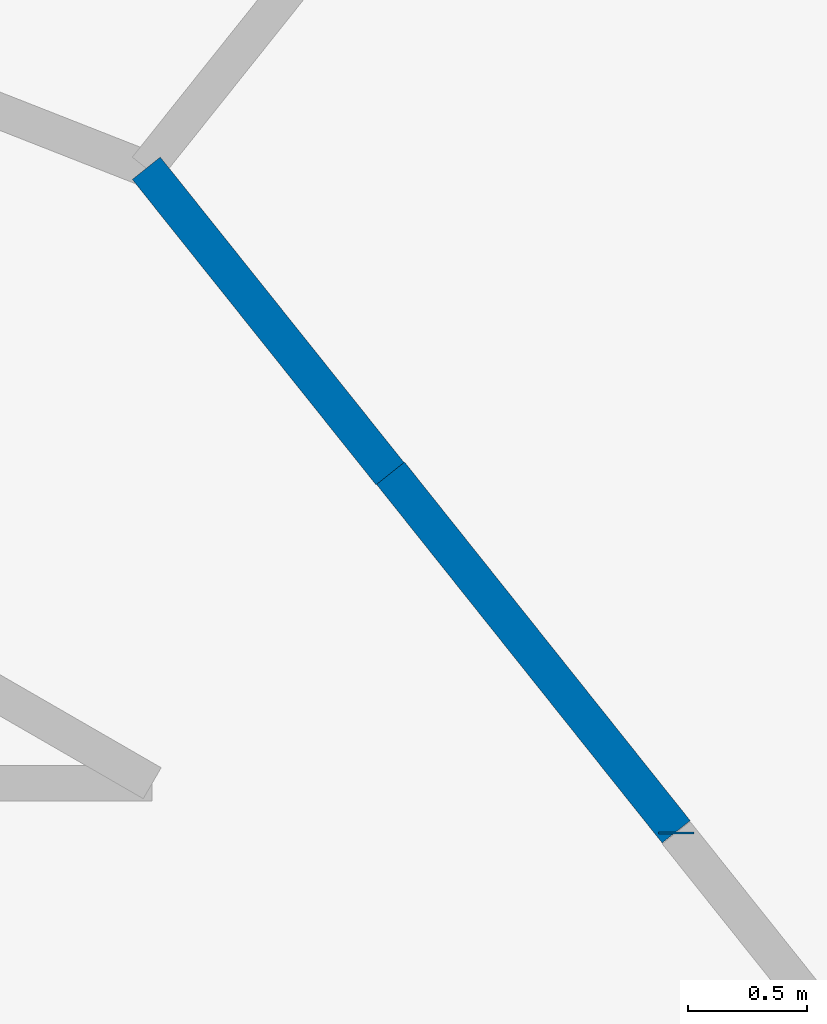
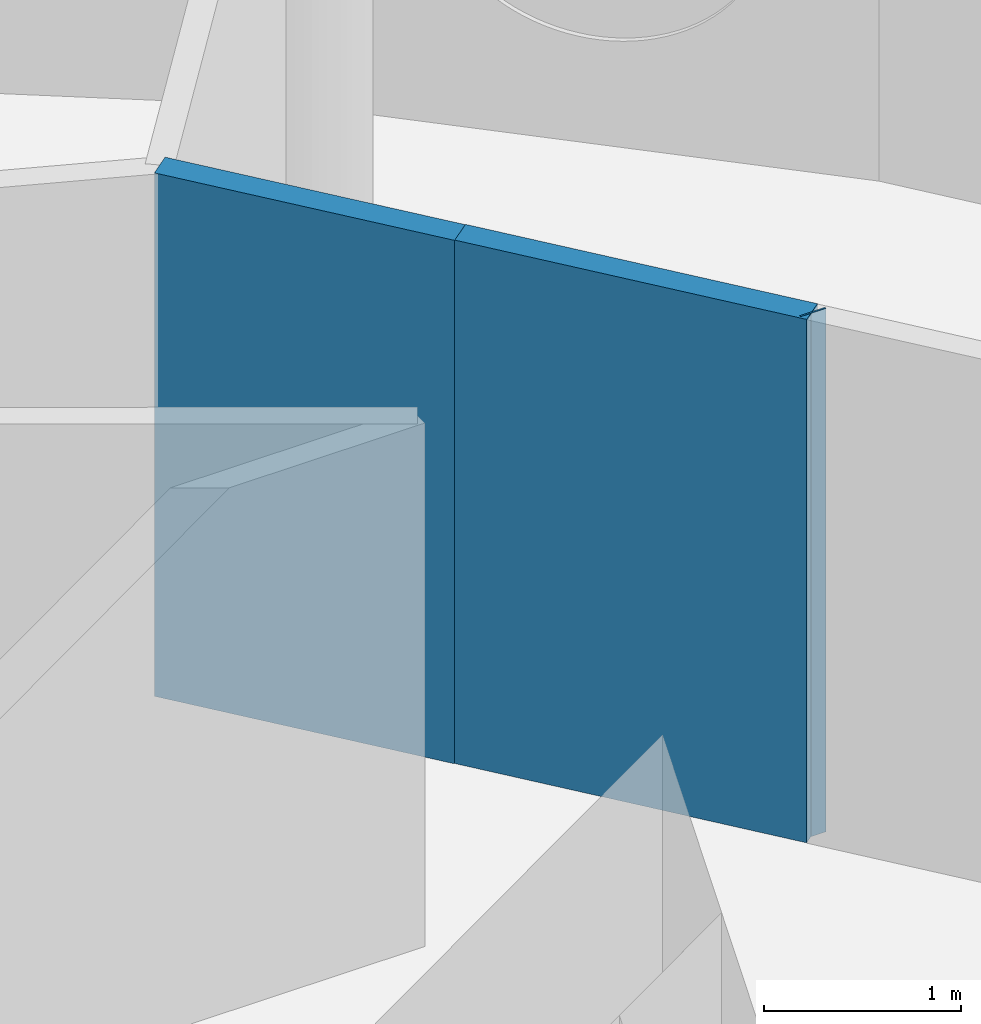
# One storey, part 9 of 13: 3 walls.
"""IFC4 building model written with IfcOpenShell, lengths in metres."""

from ifc_helpers import new_model, si_unit, direction, frame, frame_2d, origin, place, context, subcontext, project, spatial, rectangle, extrude, material, layer, layer_set, type_object, element, save


model = new_model("IFC4")

# Units and contexts
model_context = context("Model", 3, precision=1e-05, world=origin(), true_north=direction((0.0, 1.0)))
body_context = subcontext(model_context, "Body", "Model", "MODEL_VIEW")
ifc_project = project(units=[si_unit("LENGTHUNIT", "METRE"), si_unit("AREAUNIT", "SQUARE_METRE"), si_unit("VOLUMEUNIT", "CUBIC_METRE"), si_unit("PLANEANGLEUNIT", "RADIAN"), si_unit("MASSUNIT", "GRAM", prefix="KILO")], contexts=[model_context])

# Site, building, storey
site_placement = place(None, origin())
site = spatial("IfcSite", under=ifc_project, at=site_placement, CompositionType="ELEMENT")
building_placement = place(site_placement, origin())
building = spatial("IfcBuilding", under=site, at=building_placement, Name="Tracery Tower", CompositionType="ELEMENT")
storey_placement = place(building_placement, frame((0.0, 0.0, 319.800048828125)))
storey = spatial("IfcBuildingStorey", under=building, at=storey_placement, Name="L83", CompositionType="ELEMENT", Elevation=319.800048828125)

# Walls
ifc_material = material(Name="Plasterboard on steel studs", Category="steel")
ifc_layer = layer(ifc_material, 0.14990234375)
ifc_layer_set = layer_set([ifc_layer], Name="Partition 150 corridor wall")
wall_type = type_object("IfcWallType", Name="Partition 150 corridor wall", PredefinedType="PARTITIONING", material=ifc_layer_set)
wall_1_placement = place(storey_placement, frame((10.10107421875, 10.10107421875, 0.0), z_axis=(0.0, 0.0, 1.0), x_axis=(0.623130947784, -0.782117524362, 0.0)))
element("IfcWall", 1, at=wall_1_placement, inside=storey, type_object=wall_type, Name="Corridor wall RC9-004", PredefinedType="PARTITIONING", context=body_context, shape_type="SweptSolid", body=[
    extrude(rectangle(XDim=1.924072265625, YDim=0.14990234375, at=frame_2d((0.9619140625, 0.0))), origin(), (0.0, 0.0, 1.0), 3.25),
])
wall_2_placement = place(storey_placement, frame((11.300048828125, 8.5859375, 0.0), z_axis=(0.0, 0.0, 1.0), x_axis=(0.0, 1.0, 0.0)))
element("IfcWall", 2, at=wall_2_placement, inside=storey, type_object=wall_type, Name="Corridor wall RC9-006", PredefinedType="PARTITIONING", context=body_context, shape_type="SweptSolid", body=[
    extrude(rectangle(XDim=0.01025390625, YDim=0.14990234375, at=frame_2d((0.005126953125, 0.0))), origin(), (0.0, 0.0, 1.0), 3.25),
])
wall_3_placement = place(storey_placement, frame((9.075927734375, 11.381103515625, 0.0), z_axis=(0.0, 0.0, 1.0), x_axis=(0.623805208652, -0.781579849829, 0.0)))
element("IfcWall", 3, at=wall_3_placement, inside=storey, type_object=wall_type, Name="Corridor wall RC9-026", PredefinedType="PARTITIONING", context=body_context, shape_type="SweptSolid", body=[
    extrude(rectangle(XDim=1.64013671875, YDim=0.14990234375, at=frame_2d((0.820068359375, 0.0))), origin(), (0.0, 0.0, 1.0), 3.25),
])

save(model, "model.ifc")
